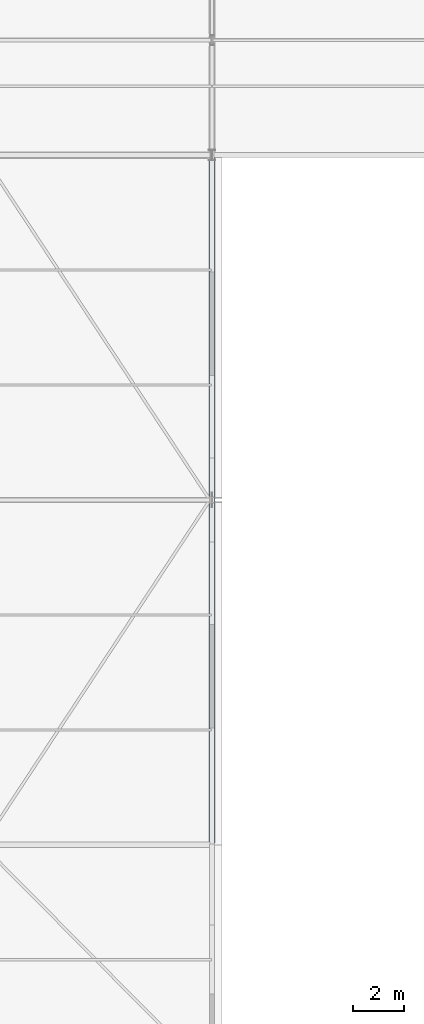
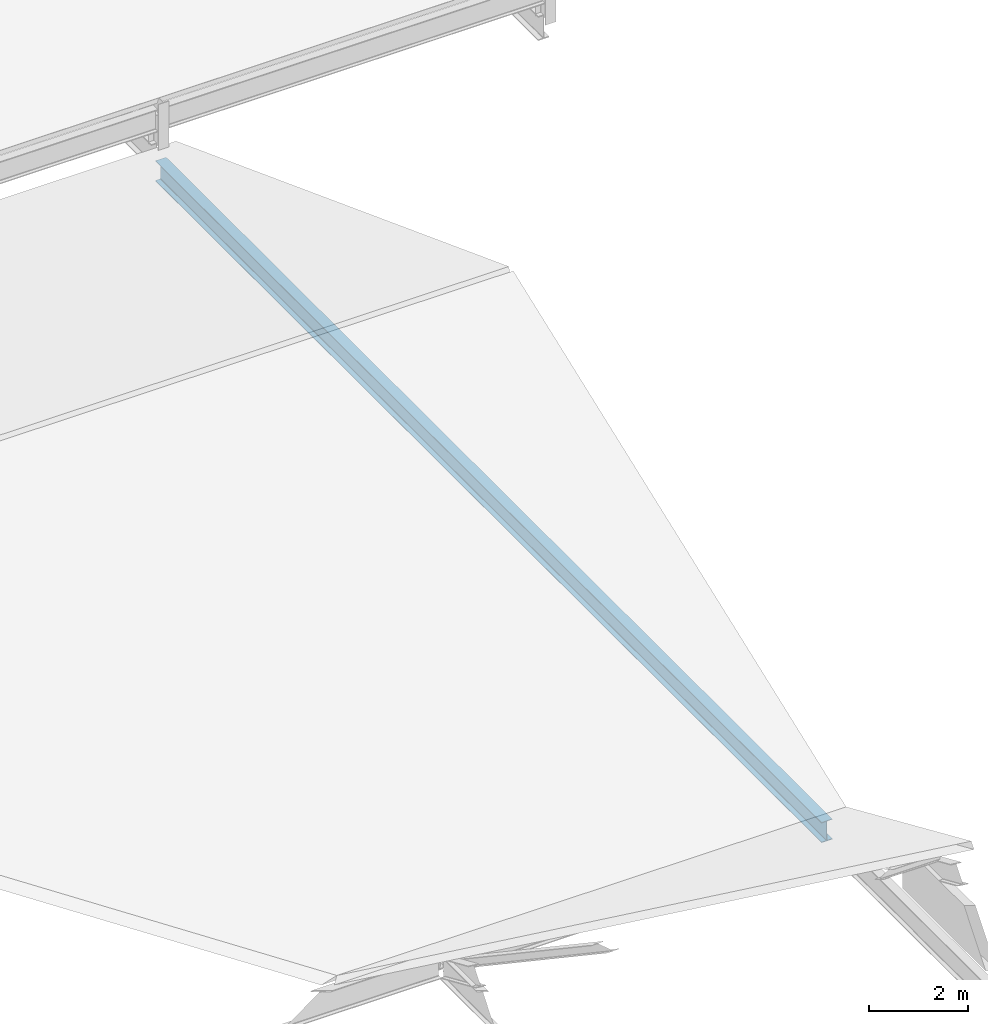
# One storey, part 58 of 163: 1 beam.
"""IFC4 building model written with IfcOpenShell, lengths in metres."""

import ifcopenshell
import ifcopenshell.guid

model = None  # the IFC model being written
_history = None  # IfcOwnerHistory: only IFC2X3 demands one
_inside = {}  # id of a spatial element -> (the spatial element, [elements in it])
_under = {}  # id of a project, library or spatial element -> (it, [spatial elements below it])
_declared = {}  # id of a project -> (the project, [libraries it declares])
_typed = {}  # id of a type object -> (the type object, [elements of that type])
_made_of = {}  # id of a material, layer set ... -> (it, [elements and type objects made of it])


def new_model(schema):
    """Start an empty IFC model of exactly this schema.

    Asked for "IFC4X3", IfcOpenShell would pick the latest addendum, in which some entities
    have other attributes; the version numbers below select the first issue.
    IFC2X3 requires an IfcOwnerHistory on every rooted entity: one is made here for all.
    """
    global model, _history
    if schema == "IFC4X3":
        model = ifcopenshell.file(schema_version=(4, 3, 0, 0))
    else:
        model = ifcopenshell.file(schema=schema)
    _inside.clear()
    _under.clear()
    _declared.clear()
    _typed.clear()
    _made_of.clear()
    _history = None
    if model.schema == "IFC2X3":
        org = make("IfcOrganization", Name="unknown")
        user = make(
            "IfcPersonAndOrganization",
            ThePerson=make("IfcPerson", FamilyName="unknown"),
            TheOrganization=org,
        )
        app = make(
            "IfcApplication",
            ApplicationDeveloper=org,
            Version="unknown",
            ApplicationFullName="unknown",
            ApplicationIdentifier="unknown",
        )
        _history = make(
            "IfcOwnerHistory",
            OwningUser=user,
            OwningApplication=app,
            ChangeAction="ADDED",
            CreationDate=0,
        )
    return model


def make(cls, **values):
    """One entity of the class cls with the attributes given. An attribute that is None is left unset."""
    return model.create_entity(
        cls, **{name: value for name, value in values.items() if value is not None}
    )


def rooted(cls, **values):
    """An entity with a GlobalId (a new one), such as an element, a storey or a relation."""
    return make(cls, GlobalId=ifcopenshell.guid.new(), OwnerHistory=_history, **values)


def si_unit(unit_type, name, prefix=None):
    """IfcSIUnit, for example si_unit("LENGTHUNIT", "METRE", prefix="MILLI")."""
    return make("IfcSIUnit", UnitType=unit_type, Prefix=prefix, Name=name)


def assignment(units):
    """IfcUnitAssignment: the units of a project."""
    return None if units is None else make("IfcUnitAssignment", Units=units)


def point(xyz):
    """IfcCartesianPoint."""
    return None if xyz is None else make("IfcCartesianPoint", Coordinates=xyz)


def direction(xyz):
    """IfcDirection."""
    return None if xyz is None else make("IfcDirection", DirectionRatios=xyz)


def frame(location, z_axis=None, x_axis=None):
    """IfcAxis2Placement3D, a coordinate frame: its origin and axes. An axis left out is left unset."""
    return make(
        "IfcAxis2Placement3D",
        Location=point(location),
        Axis=direction(z_axis),
        RefDirection=direction(x_axis),
    )


def frame_2d(location, x_axis=None):
    """IfcAxis2Placement2D, a coordinate frame in the plane: its origin and x axis."""
    return make(
        "IfcAxis2Placement2D", Location=point(location), RefDirection=direction(x_axis)
    )


def origin():
    """The frame at (0, 0, 0) with its axes left unset."""
    return frame((0.0, 0.0, 0.0))


def origin_2d():
    """The frame at (0, 0) in the plane with its x axis left unset."""
    return frame_2d((0.0, 0.0))


def place(relative_to, where):
    """IfcLocalPlacement: puts the frame where relative to a parent placement (None: the world)."""
    return make(
        "IfcLocalPlacement", PlacementRelTo=relative_to, RelativePlacement=where
    )


def context(
    kind, dimensions, precision=None, world=None, true_north=None, identifier=None
):
    """IfcGeometricRepresentationContext, for example the 3D "Model" context."""
    return make(
        "IfcGeometricRepresentationContext",
        ContextIdentifier=identifier,
        ContextType=kind,
        CoordinateSpaceDimension=dimensions,
        Precision=precision,
        WorldCoordinateSystem=world,
        TrueNorth=true_north,
    )


def subcontext(parent, identifier, kind, view, scale=None):
    """IfcGeometricRepresentationSubContext, for example "Body" below "Model"."""
    return make(
        "IfcGeometricRepresentationSubContext",
        ContextIdentifier=identifier,
        ContextType=kind,
        ParentContext=parent,
        TargetScale=scale,
        TargetView=view,
    )


def project(units=None, contexts=None):
    """IfcProject with its units and contexts."""
    return rooted(
        "IfcProject",
        Name="project",
        RepresentationContexts=contexts,
        UnitsInContext=assignment(units),
    )


def spatial(cls, under=None, at=None, **own):
    """A site, building, storey or space (cls), placed at a placement, below another one or the project."""
    s = rooted(cls, ObjectPlacement=at, **own)
    if under is not None:
        _under.setdefault(under.id(), (under, []))[1].append(s)
    return s


def profile(cls, at=None, kind="AREA", **sizes):
    """A parametric profile (cls). Its sizes go by their IFC names, for example OverallWidth=200.0."""
    return make(cls, ProfileType=kind, Position=at, **sizes)


def i_section(**sizes):
    """IfcIShapeProfileDef."""
    return profile("IfcIShapeProfileDef", **sizes)


def extrude(swept, where, along, depth):
    """IfcExtrudedAreaSolid: the profile swept, set in the frame where, extruded along a direction by depth."""
    return make(
        "IfcExtrudedAreaSolid",
        SweptArea=swept,
        Position=where,
        ExtrudedDirection=direction(along),
        Depth=depth,
    )


def shape(context_of_items, identifier, shape_type, items):
    """IfcShapeRepresentation: the items that make up one representation, for example the "Body"."""
    return make(
        "IfcShapeRepresentation",
        ContextOfItems=context_of_items,
        RepresentationIdentifier=identifier,
        RepresentationType=shape_type,
        Items=items,
    )


def material(Name=None, Category=None):
    """IfcMaterial."""
    return make("IfcMaterial", Name=Name, Category=Category)


def material_profile(
    of_material, cross_section, Name=None, Category=None, Priority=None
):
    """IfcMaterialProfile: a cross section and its material."""
    return make(
        "IfcMaterialProfile",
        Name=Name,
        Material=of_material,
        Profile=cross_section,
        Priority=Priority,
        Category=Category,
    )


def profile_set(profiles, Name=None, composite=None):
    """IfcMaterialProfileSet."""
    return make(
        "IfcMaterialProfileSet",
        Name=Name,
        MaterialProfiles=profiles,
        CompositeProfile=composite,
    )


def made_of(thing, what):
    """Note that an element or type object is made of a material, layer set ...; save() writes the relation."""
    if what is not None:
        _made_of.setdefault(what.id(), (what, []))[1].append(thing)
    return thing


def type_object(cls, material=None, **own):
    """A type object (cls), such as IfcWallType, which elements share."""
    return made_of(rooted(cls, **own), material)


def element(
    cls,
    number,
    at=None,
    inside=None,
    cuts=None,
    type_object=None,
    material=None,
    context=None,
    identifier="Body",
    shape_type=None,
    held_by="IfcProductDefinitionShape",
    body=None,
    shapes=None,
    **own,
):
    """One element of the class cls, such as IfcWall. Its Tag is "e" and its number.

    at: its placement. inside: the storey or other place that contains it. cuts: it is an
    opening in that element (IfcRelVoidsElement). A single representation is given by context,
    identifier, shape_type and body (its items); several are given by shapes. held_by: the class
    of the entity that holds the representations. save() writes the other relations.
    """
    e = rooted(cls, Tag="e%d" % number, ObjectPlacement=at, **own)
    if body is not None:
        shapes = [shape(context, identifier, shape_type, body)]
    if shapes is not None:
        e.Representation = make(held_by, Representations=shapes)
    if inside is not None:
        _inside.setdefault(inside.id(), (inside, []))[1].append(e)
    if cuts is not None:
        rooted(
            "IfcRelVoidsElement", RelatingBuildingElement=cuts, RelatedOpeningElement=e
        )
    if type_object is not None:
        _typed.setdefault(type_object.id(), (type_object, []))[1].append(e)
    return made_of(e, material)


def aggregate(whole, parts):
    """IfcRelAggregates: a whole, such as a stair, and the parts it consists of."""
    return rooted("IfcRelAggregates", RelatingObject=whole, RelatedObjects=parts)


def save(model, path):
    """Write the relations noted so far, then the file.

    IfcRelAggregates (storeys below a building ...), IfcRelContainedInSpatialStructure (elements
    in a storey), IfcRelDefinesByType, IfcRelAssociatesMaterial and IfcRelDeclares: one each for
    every whole, place, type object, material and project.
    """
    for whole, parts in _under.values():
        aggregate(whole, parts)
    for where, things in _inside.values():
        rooted(
            "IfcRelContainedInSpatialStructure",
            RelatedElements=things,
            RelatingStructure=where,
        )
    for kind, things in _typed.values():
        rooted("IfcRelDefinesByType", RelatedObjects=things, RelatingType=kind)
    for what, things in _made_of.values():
        rooted("IfcRelAssociatesMaterial", RelatedObjects=things, RelatingMaterial=what)
    for by, libraries in _declared.values():
        rooted("IfcRelDeclares", RelatingContext=by, RelatedDefinitions=libraries)
    model.write(path)


model = new_model("IFC4")

# Units and contexts
model_context = context("Model", 3, precision=1e-05, world=origin(), true_north=direction((0.0, 1.0)))
body_context = subcontext(model_context, "Body", "Model", "MODEL_VIEW")
ifc_project = project(units=[si_unit("LENGTHUNIT", "METRE"), si_unit("AREAUNIT", "SQUARE_METRE"), si_unit("VOLUMEUNIT", "CUBIC_METRE"), si_unit("PLANEANGLEUNIT", "RADIAN"), si_unit("MASSUNIT", "GRAM", prefix="KILO")], contexts=[model_context])

# Site, building, storey
site_placement = place(None, origin())
site = spatial("IfcSite", under=ifc_project, at=site_placement, CompositionType="ELEMENT")
building_placement = place(site_placement, origin())
building = spatial("IfcBuilding", under=site, at=building_placement, Name="Tharagai Park Tramway Depot", CompositionType="ELEMENT")
storey_placement = place(building_placement, frame((0.0, 0.0, 8.39990234375)))
storey = spatial("IfcBuildingStorey", under=building, at=storey_placement, Name="L02", CompositionType="ELEMENT", Elevation=8.39990234375)

# Beam
ifc_material = material(Name="Steel E350", Category="steel")
ifc_material_profile = material_profile(ifc_material, i_section(OverallWidth=0.25, OverallDepth=0.5, WebThickness=0.010009765625, FlangeThickness=0.0146484375, FilletRadius=0.014892578125, at=origin_2d()), Name="ISWB 500")
ifc_profile_set = profile_set([ifc_material_profile], Name="Steel E350")
beam_type = type_object("IfcBeamType", Name="BM-08", PredefinedType="BEAM", material=ifc_profile_set)
beam_placement = place(storey_placement, frame((90.0, 63.080078125, -0.5), z_axis=(0.0, 1.0, 0.0), x_axis=(-1.0, 0.0, 0.0)))
element("IfcBeam", 1, at=beam_placement, inside=storey, type_object=beam_type, Name="V2B Gable Tie Girder BM-08", PredefinedType="BEAM", context=body_context, shape_type="SweptSolid", body=[
    extrude(i_section(OverallWidth=0.25, OverallDepth=0.5, WebThickness=0.010009765625, FlangeThickness=0.0146484375, FilletRadius=0.014892578125, at=origin_2d()), origin(), (0.0, 0.0, 1.0), 26.83984375),
])

save(model, "model.ifc")
